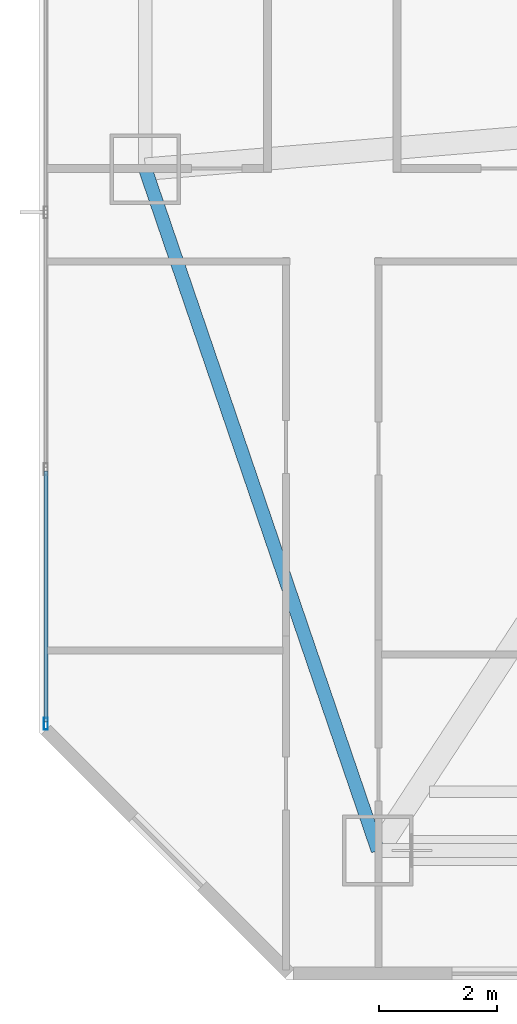
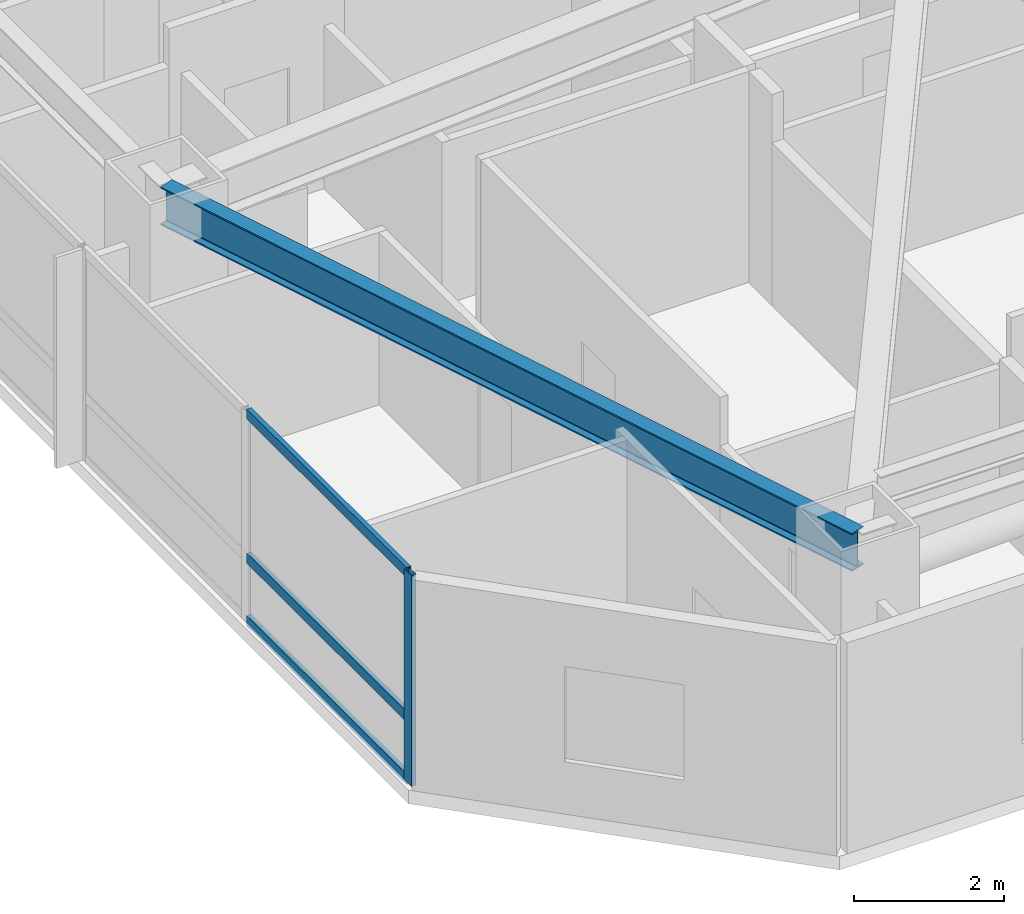
# One storey, part 2 of 25: 4 members, 1 beam, 1 element without a shape of its own.
"""IFC4 building model written with IfcOpenShell, lengths in metres."""

from ifc_helpers import new_model, si_unit, direction, frame, origin, origin_2d, place, context, subcontext, project, spatial, hollow_rectangle, i_section, extrude, material, material_profile, profile_set, type_object, element, aggregate, save


model = new_model("IFC4")

# Units and contexts
model_context = context("Model", 3, precision=1e-05, world=origin(), true_north=direction((0.0, 1.0)))
body_context = subcontext(model_context, "Body", "Model", "MODEL_VIEW")
ifc_project = project(units=[si_unit("LENGTHUNIT", "METRE"), si_unit("AREAUNIT", "SQUARE_METRE"), si_unit("VOLUMEUNIT", "CUBIC_METRE"), si_unit("PLANEANGLEUNIT", "RADIAN"), si_unit("MASSUNIT", "GRAM", prefix="KILO")], contexts=[model_context])

# Site, building, storey
site_placement = place(None, origin())
site = spatial("IfcSite", under=ifc_project, at=site_placement, CompositionType="ELEMENT")
building_placement = place(site_placement, origin())
building = spatial("IfcBuilding", under=site, at=building_placement, Name="Khamvora Tower", CompositionType="ELEMENT")
storey_placement = place(building_placement, frame((0.0, 0.0, 36.949951171875)))
storey = spatial("IfcBuildingStorey", under=building, at=storey_placement, Name="L08", CompositionType="ELEMENT", Elevation=36.949951171875)

# Beam
ifc_material_1 = material(Name="Steel S355", Category="steel")
ifc_material_profile_1 = material_profile(ifc_material_1, i_section(OverallWidth=0.22998046875, OverallDepth=0.616943359375, WebThickness=0.012939453125, FlangeThickness=0.02197265625, FilletRadius=0.013916015625, at=origin_2d()), Name="W610x140")
ifc_profile_set_1 = profile_set([ifc_material_profile_1], Name="Steel S355")
beam_type = type_object("IfcBeamType", Name="BM-SP-W610x140", PredefinedType="SPANDREL", material=ifc_profile_set_1)
beam_placement = place(storey_placement, frame((5.800048828125, 16.77490234375, 3.1220703125), z_axis=(0.322962893199, -0.946411628002, 0.0), x_axis=(0.946411628002, 0.322962893199, 0.0)))
element("IfcBeam", 1, at=beam_placement, inside=storey, type_object=beam_type, Name="L08 perimeter spandrel beam W1-S1", PredefinedType="SPANDREL", context=body_context, shape_type="SweptSolid", body=[
    extrude(i_section(OverallWidth=0.22998046875, OverallDepth=0.616943359375, WebThickness=0.012939453125, FlangeThickness=0.02197265625, FilletRadius=0.013916015625, at=origin_2d()), origin(), (0.0, 0.0, 1.0), 12.23046875),
])

# Curtain wall, members
ifc_material_2 = material(Name="Anodised Aluminium 6063-T6", Category="aluminium")
curtain_wall_type = type_object("IfcCurtainWallType", Name="CW-SYS-02", PredefinedType="NOTDEFINED", material=ifc_material_2)
curtain_wall_placement = place(storey_placement, origin())
curtain_wall = element("IfcCurtainWall", 2, at=curtain_wall_placement, inside=storey, type_object=curtain_wall_type, Name="L08 stick curtain wall 02.1", PredefinedType="NOTDEFINED")
ifc_material_profile_2 = material_profile(ifc_material_2, hollow_rectangle(XDim=0.070068359375, YDim=0.199951171875, WallThickness=0.0048828125, at=origin_2d()), Name="MUL70x200x5")
ifc_profile_set_2 = profile_set([ifc_material_profile_2], Name="Anodised Aluminium 6063-T6")
member_type_1 = type_object("IfcMemberType", Name="CW-SYS-02-MUL", PredefinedType="MULLION", material=ifc_profile_set_2)
member_1_placement = place(storey_placement, frame((4.110107421875, 7.35205078125, 0.0), z_axis=(0.0, 0.0, 1.0), x_axis=(-1.0, 0.0, 0.0)))
member_1 = element("IfcMember", 3, at=member_1_placement, type_object=member_type_1, Name="CW-02 mullion 1", PredefinedType="MULLION", context=body_context, shape_type="SweptSolid", body=[
    extrude(hollow_rectangle(XDim=0.070068359375, YDim=0.199951171875, WallThickness=0.0048828125, at=origin_2d()), origin(), (0.0, 0.0, 1.0), 3.429931640625),
])
ifc_material_profile_3 = material_profile(ifc_material_2, hollow_rectangle(XDim=0.070068359375, YDim=0.1650390625, WallThickness=0.0048828125, at=origin_2d()), Name="TRN70x165x5")
ifc_profile_set_3 = profile_set([ifc_material_profile_3], Name="Anodised Aluminium 6063-T6")
member_type_2 = type_object("IfcMemberType", Name="CW-SYS-02-TRN", PredefinedType="USERDEFINED", material=ifc_profile_set_3)
member_2_placement = place(storey_placement, frame((4.110107421875, 7.386962890625, 0.03515625), z_axis=(0.0, 1.0, 0.0), x_axis=(-1.0, 0.0, 0.0)))
member_2 = element("IfcMember", 4, at=member_2_placement, type_object=member_type_2, Name="CW-02 transom 1.1", ObjectType="TRANSOM", PredefinedType="USERDEFINED", context=body_context, shape_type="SweptSolid", body=[
    extrude(hollow_rectangle(XDim=0.070068359375, YDim=0.1650390625, WallThickness=0.0048828125, at=origin_2d()), origin(), (0.0, 0.0, 1.0), 4.256591796875),
])
member_3_placement = place(storey_placement, frame((4.110107421875, 7.386962890625, 1.050048828125), z_axis=(0.0, 1.0, 0.0), x_axis=(-1.0, 0.0, 0.0)))
member_3 = element("IfcMember", 5, at=member_3_placement, type_object=member_type_2, Name="CW-02 transom 1.2", ObjectType="TRANSOM", PredefinedType="USERDEFINED", context=body_context, shape_type="SweptSolid", body=[
    extrude(hollow_rectangle(XDim=0.070068359375, YDim=0.1650390625, WallThickness=0.0048828125, at=origin_2d()), origin(), (0.0, 0.0, 1.0), 4.256591796875),
])
member_4_placement = place(storey_placement, frame((4.110107421875, 7.386962890625, 3.39501953125), z_axis=(0.0, 1.0, 0.0), x_axis=(-1.0, 0.0, 0.0)))
member_4 = element("IfcMember", 6, at=member_4_placement, type_object=member_type_2, Name="CW-02 transom 1.3", ObjectType="TRANSOM", PredefinedType="USERDEFINED", context=body_context, shape_type="SweptSolid", body=[
    extrude(hollow_rectangle(XDim=0.070068359375, YDim=0.1650390625, WallThickness=0.0048828125, at=origin_2d()), origin(), (0.0, 0.0, 1.0), 4.256591796875),
])
aggregate(curtain_wall, [member_1, member_2, member_3, member_4])

save(model, "model.ifc")
